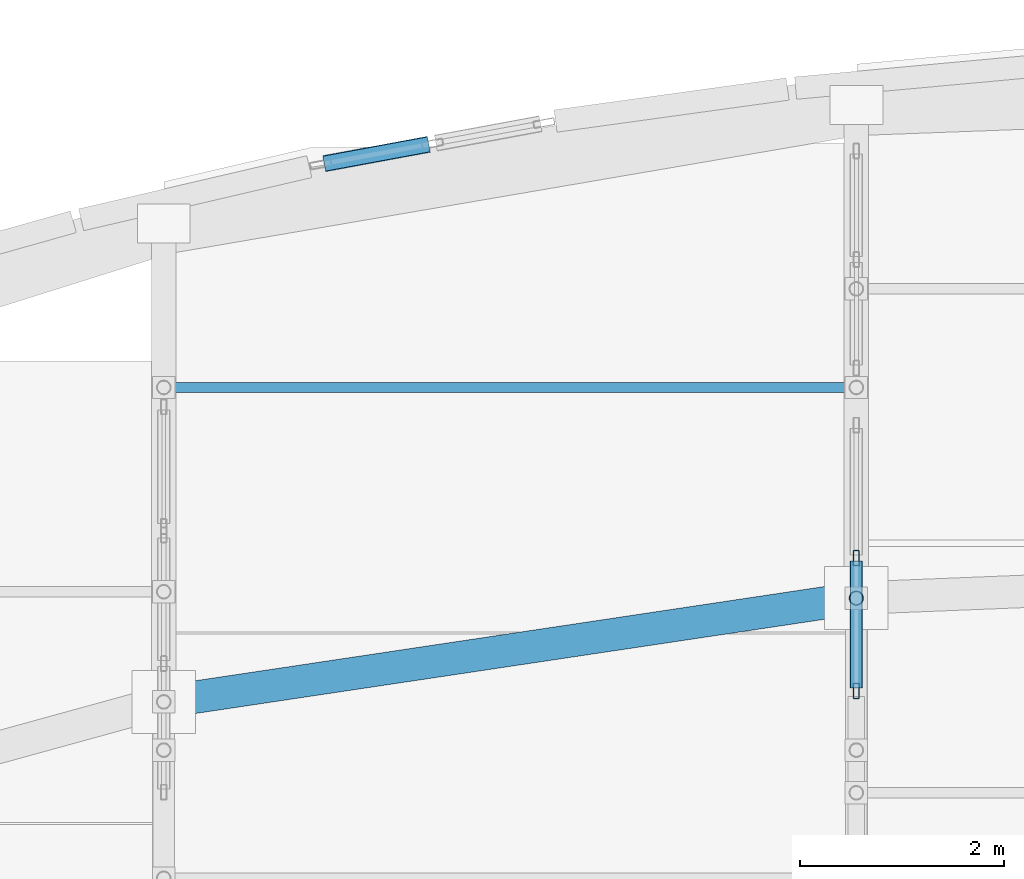
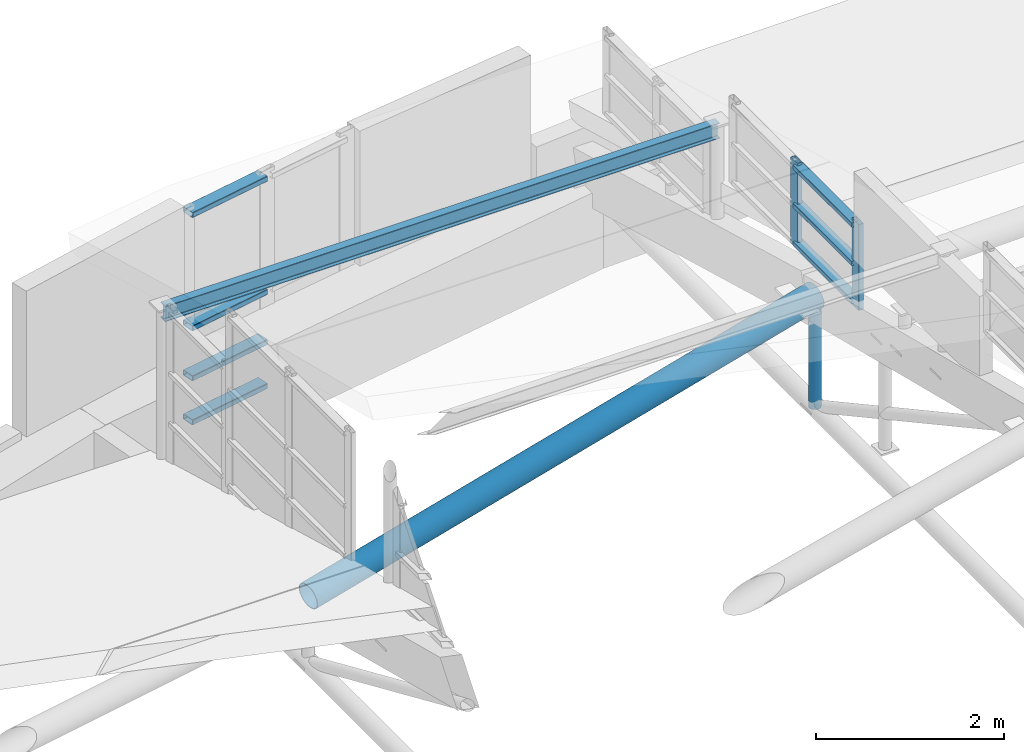
# One storey, part 98 of 188: 12 members, 2 elements without a shape of their own.
"""IFC4 building model written with IfcOpenShell, lengths in metres."""

from ifc_helpers import new_model, si_unit, direction, frame, origin, origin_2d, place, context, subcontext, project, spatial, hollow_rectangle, hollow_circle, i_section, extrude, material, layer, layer_set, material_profile, profile_set, type_object, element, aggregate, save


model = new_model("IFC4")

# Units and contexts
model_context = context("Model", 3, precision=1e-05, world=origin(), true_north=direction((0.0, 1.0)))
body_context = subcontext(model_context, "Body", "Model", "MODEL_VIEW")
ifc_project = project(units=[si_unit("LENGTHUNIT", "METRE"), si_unit("AREAUNIT", "SQUARE_METRE"), si_unit("VOLUMEUNIT", "CUBIC_METRE"), si_unit("PLANEANGLEUNIT", "RADIAN"), si_unit("MASSUNIT", "GRAM", prefix="KILO")], contexts=[model_context])

# Site, building, storey
site_placement = place(None, origin())
site = spatial("IfcSite", under=ifc_project, at=site_placement, CompositionType="ELEMENT")
building_placement = place(site_placement, origin())
building = spatial("IfcBuilding", under=site, at=building_placement, Name="Kisaragi Civic Commons", CompositionType="ELEMENT")
storey_placement = place(building_placement, frame((0.0, 0.0, 9.60009765625)))
storey = spatial("IfcBuildingStorey", under=building, at=storey_placement, Name="L02", CompositionType="ELEMENT", Elevation=9.60009765625)

# Curtain wall, members
ifc_material_1 = material(Name="Thermally broken anodized aluminium and low-E double glazing", Category="aluminium")
ifc_layer_1 = layer(ifc_material_1, 0.14990234375, Name="Thermally broken anodized aluminium and low-E double glazing", Category="aluminium")
ifc_layer_set_1 = layer_set([ifc_layer_1], Name="Thermally broken anodized aluminium and low-E double glazing")
curtain_wall_type_1 = type_object("IfcCurtainWallType", Name="CW-03", PredefinedType="NOTDEFINED", material=ifc_layer_set_1)
curtain_wall_1_placement = place(storey_placement, origin())
curtain_wall_1 = element("IfcCurtainWall", 1, at=curtain_wall_1_placement, inside=storey, type_object=curtain_wall_type_1, Name="L02 curtain wall CW-03 CW-CL-V2-201", PredefinedType="NOTDEFINED")
ifc_material_profile_1 = material_profile(ifc_material_1, hollow_rectangle(XDim=0.06005859375, YDim=0.14990234375, WallThickness=0.00390625, InnerFilletRadius=0.00390625, OuterFilletRadius=0.008056640625, at=origin_2d()), Name="CWM-60x150x4", Category="aluminium")
ifc_profile_set_1 = profile_set([ifc_material_profile_1], Name="Thermally broken anodized aluminium and low-E double glazing")
member_type_1 = type_object("IfcMemberType", Name="CWM-01", PredefinedType="MULLION", material=ifc_profile_set_1)
member_1_placement = place(storey_placement, frame((20.39990234375, 112.181640625, 1.456298828125), z_axis=(0.0, 0.0, 1.0), x_axis=(-1.0, 0.0, 0.0)))
member_1 = element("IfcMember", 2, at=member_1_placement, type_object=member_type_1, Name="CW-03 mullion 1", PredefinedType="MULLION", context=body_context, shape_type="SweptSolid", body=[
    extrude(hollow_rectangle(XDim=0.06005859375, YDim=0.14990234375, WallThickness=0.00390625, InnerFilletRadius=0.00390625, OuterFilletRadius=0.008056640625, at=origin_2d()), origin(), (0.0, 0.0, 1.0), 1.114501953125),
])
member_2_placement = place(storey_placement, frame((20.39990234375, 113.48583984375, 1.456298828125), z_axis=(0.0, 0.0, 1.0), x_axis=(-1.0, 0.0, 0.0)))
member_2 = element("IfcMember", 3, at=member_2_placement, type_object=member_type_1, Name="CW-03 mullion 2", PredefinedType="MULLION", context=body_context, shape_type="SweptSolid", body=[
    extrude(hollow_rectangle(XDim=0.06005859375, YDim=0.14990234375, WallThickness=0.00390625, InnerFilletRadius=0.00390625, OuterFilletRadius=0.008056640625, at=origin_2d()), origin(), (0.0, 0.0, 1.0), 1.114501953125),
])
ifc_material_profile_2 = material_profile(ifc_material_1, hollow_rectangle(XDim=0.1201171875, YDim=0.06005859375, WallThickness=0.00390625, InnerFilletRadius=0.00390625, OuterFilletRadius=0.008056640625, at=origin_2d()), Name="CWT-60x120x4", Category="aluminium")
ifc_profile_set_2 = profile_set([ifc_material_profile_2], Name="Thermally broken anodized aluminium and low-E double glazing")
member_type_2 = type_object("IfcMemberType", Name="CWT-01", PredefinedType="USERDEFINED", material=ifc_profile_set_2)
member_3_placement = place(storey_placement, frame((20.39990234375, 112.211669921875, 1.516357421875), z_axis=(0.0, 1.0, 0.0), x_axis=(-1.0, 0.0, 0.0)))
member_3 = element("IfcMember", 4, at=member_3_placement, type_object=member_type_2, Name="CW-03 transom 1.1", ObjectType="TRANSOM", PredefinedType="USERDEFINED", context=body_context, shape_type="SweptSolid", body=[
    extrude(hollow_rectangle(XDim=0.1201171875, YDim=0.06005859375, WallThickness=0.00390625, InnerFilletRadius=0.00390625, OuterFilletRadius=0.008056640625, at=origin_2d()), origin(), (0.0, 0.0, 1.0), 1.244384765625),
])
member_4_placement = place(storey_placement, frame((20.39990234375, 112.211669921875, 2.013427734375), z_axis=(0.0, 1.0, 0.0), x_axis=(-1.0, 0.0, 0.0)))
member_4 = element("IfcMember", 5, at=member_4_placement, type_object=member_type_2, Name="CW-03 transom 1.2", ObjectType="TRANSOM", PredefinedType="USERDEFINED", context=body_context, shape_type="SweptSolid", body=[
    extrude(hollow_rectangle(XDim=0.1201171875, YDim=0.06005859375, WallThickness=0.00390625, InnerFilletRadius=0.00390625, OuterFilletRadius=0.008056640625, at=origin_2d()), origin(), (0.0, 0.0, 1.0), 1.244384765625),
])
member_5_placement = place(storey_placement, frame((20.39990234375, 112.211669921875, 2.5107421875), z_axis=(0.0, 1.0, 0.0), x_axis=(-1.0, 0.0, 0.0)))
member_5 = element("IfcMember", 6, at=member_5_placement, type_object=member_type_2, Name="CW-03 transom 1.3", ObjectType="TRANSOM", PredefinedType="USERDEFINED", context=body_context, shape_type="SweptSolid", body=[
    extrude(hollow_rectangle(XDim=0.1201171875, YDim=0.06005859375, WallThickness=0.00390625, InnerFilletRadius=0.00390625, OuterFilletRadius=0.008056640625, at=origin_2d()), origin(), (0.0, 0.0, 1.0), 1.244384765625),
])
aggregate(curtain_wall_1, [member_1, member_2, member_3, member_4, member_5])

ifc_layer_2 = layer(ifc_material_1, 0.2099609375, Name="Thermally broken anodized aluminium and low-E double glazing", Category="aluminium")
ifc_layer_set_2 = layer_set([ifc_layer_2], Name="Thermally broken anodized aluminium and low-E double glazing")
curtain_wall_type_2 = type_object("IfcCurtainWallType", Name="CW-02", PredefinedType="NOTDEFINED", material=ifc_layer_set_2)
curtain_wall_2_placement = place(storey_placement, origin())
curtain_wall_2 = element("IfcCurtainWall", 7, at=curtain_wall_2_placement, inside=storey, type_object=curtain_wall_type_2, Name="L02 curtain wall CW-02 CW-GAB-V2-223", PredefinedType="NOTDEFINED")
ifc_material_profile_3 = material_profile(ifc_material_1, hollow_rectangle(XDim=0.159912109375, YDim=0.070068359375, WallThickness=0.0048828125, InnerFilletRadius=0.0048828125, OuterFilletRadius=0.010009765625, at=origin_2d()), Name="CWT-70x160x5", Category="aluminium")
ifc_profile_set_3 = profile_set([ifc_material_profile_3], Name="Thermally broken anodized aluminium and low-E double glazing")
member_type_3 = type_object("IfcMemberType", Name="CWT-03", PredefinedType="USERDEFINED", material=ifc_profile_set_3)
member_6_placement = place(storey_placement, frame((15.17578125, 117.358154296875, -1.319091796875), z_axis=(0.983334650789, 0.181804742945, 0.0), x_axis=(-0.181804742945, 0.983334650789, 0.0)))
member_6 = element("IfcMember", 8, at=member_6_placement, type_object=member_type_3, Name="CW-02 transom 1.1", ObjectType="TRANSOM", PredefinedType="USERDEFINED", context=body_context, shape_type="SweptSolid", body=[
    extrude(hollow_rectangle(XDim=0.159912109375, YDim=0.070068359375, WallThickness=0.0048828125, InnerFilletRadius=0.0048828125, OuterFilletRadius=0.010009765625, at=origin_2d()), origin(), (0.0, 0.0, 1.0), 1.044677734375),
])
member_7_placement = place(storey_placement, frame((15.17578125, 117.358154296875, -0.7490234375), z_axis=(0.983334650789, 0.181804742945, 0.0), x_axis=(-0.181804742945, 0.983334650789, 0.0)))
member_7 = element("IfcMember", 9, at=member_7_placement, type_object=member_type_3, Name="CW-02 transom 1.2", ObjectType="TRANSOM", PredefinedType="USERDEFINED", context=body_context, shape_type="SweptSolid", body=[
    extrude(hollow_rectangle(XDim=0.159912109375, YDim=0.070068359375, WallThickness=0.0048828125, InnerFilletRadius=0.0048828125, OuterFilletRadius=0.010009765625, at=origin_2d()), origin(), (0.0, 0.0, 1.0), 1.044677734375),
])
member_8_placement = place(storey_placement, frame((15.17578125, 117.358154296875, -0.09912109375), z_axis=(0.983334650789, 0.181804742945, 0.0), x_axis=(-0.181804742945, 0.983334650789, 0.0)))
member_8 = element("IfcMember", 10, at=member_8_placement, type_object=member_type_3, Name="CW-02 transom 1.3", ObjectType="TRANSOM", PredefinedType="USERDEFINED", context=body_context, shape_type="SweptSolid", body=[
    extrude(hollow_rectangle(XDim=0.159912109375, YDim=0.070068359375, WallThickness=0.0048828125, InnerFilletRadius=0.0048828125, OuterFilletRadius=0.010009765625, at=origin_2d()), origin(), (0.0, 0.0, 1.0), 1.044677734375),
])
member_9_placement = place(storey_placement, frame((15.17578125, 117.358154296875, 1.369384765625), z_axis=(0.983334650789, 0.181804742945, 0.0), x_axis=(-0.181804742945, 0.983334650789, 0.0)))
member_9 = element("IfcMember", 11, at=member_9_placement, type_object=member_type_3, Name="CW-02 transom 1.4", ObjectType="TRANSOM", PredefinedType="USERDEFINED", context=body_context, shape_type="SweptSolid", body=[
    extrude(hollow_rectangle(XDim=0.159912109375, YDim=0.070068359375, WallThickness=0.0048828125, InnerFilletRadius=0.0048828125, OuterFilletRadius=0.010009765625, at=origin_2d()), origin(), (0.0, 0.0, 1.0), 1.044677734375),
])
aggregate(curtain_wall_2, [member_6, member_7, member_8, member_9])

# Members
ifc_material_2 = material(Name="Steel SN490 (SN490B)", Category="steel")
ifc_material_profile_4 = material_profile(ifc_material_2, hollow_circle(Radius=0.1591796875, WallThickness=0.01025390625, at=origin_2d()), Name="CHS-318.5x10.3", Category="steel")
ifc_profile_set_4 = profile_set([ifc_material_profile_4], Name="Steel SN490 (SN490B)")
member_type_4 = type_object("IfcMemberType", Name="GC-03", PredefinedType="CHORD", material=ifc_profile_set_4)
member_10_placement = place(storey_placement, frame((13.60009765625, 112.073974609375, 0.1484375), z_axis=(0.980527503553, 0.14683973206, 0.130399033217), x_axis=(-0.148104306779, 0.988971745963, 0.0)))
element("IfcMember", 12, at=member_10_placement, inside=storey, type_object=member_type_4, Name="V2 wave gridshell chord GC-03 21", PredefinedType="CHORD", context=body_context, shape_type="SweptSolid", body=[
    extrude(hollow_circle(Radius=0.1591796875, WallThickness=0.01025390625, at=origin_2d()), origin(), (0.0, 0.0, 1.0), 6.934814453125),
])
ifc_material_3 = material(Name="Steel SN400 (SN400B)", Category="steel")
ifc_material_profile_5 = material_profile(ifc_material_3, i_section(OverallWidth=0.10009765625, OverallDepth=0.199951171875, WebThickness=0.005615234375, FlangeThickness=0.008056640625, FilletRadius=0.008056640625, at=origin_2d()), Name="H-200x100x5.5x8", Category="steel")
ifc_profile_set_5 = profile_set([ifc_material_profile_5], Name="Steel SN400 (SN400B)")
member_type_5 = type_object("IfcMemberType", Name="PR-02", PredefinedType="PURLIN", material=ifc_profile_set_5)
member_11_placement = place(storey_placement, frame((13.60009765625, 115.160888671875, 1.960205078125), z_axis=(1.0, 0.0, 0.0), x_axis=(0.0, 1.0, 0.0)))
element("IfcMember", 13, at=member_11_placement, inside=storey, type_object=member_type_5, Name="V2 wave vault steel purlin 24", PredefinedType="PURLIN", context=body_context, shape_type="SweptSolid", body=[
    extrude(i_section(OverallWidth=0.10009765625, OverallDepth=0.199951171875, WebThickness=0.005615234375, FlangeThickness=0.008056640625, FilletRadius=0.008056640625, at=origin_2d()), origin(), (0.0, 0.0, 1.0), 6.7998046875),
])
ifc_material_profile_6 = material_profile(ifc_material_2, hollow_circle(Radius=0.06982421875, WallThickness=0.006103515625, at=origin_2d()), Name="CHS-139.8x6.0", Category="steel")
ifc_profile_set_6 = profile_set([ifc_material_profile_6], Name="Steel SN490 (SN490B)")
member_type_6 = type_object("IfcMemberType", Name="ST-H1", PredefinedType="STRUT", material=ifc_profile_set_6)
member_12_placement = place(storey_placement, frame((20.39990234375, 113.09228515625, -0.385009765625), z_axis=(0.0, 0.0, 1.0), x_axis=(1.0, 0.0, 0.0)))
element("IfcMember", 14, at=member_12_placement, inside=storey, type_object=member_type_6, Name="V2 arch tie hanger strut 51", PredefinedType="STRUT", context=body_context, shape_type="SweptSolid", body=[
    extrude(hollow_circle(Radius=0.06982421875, WallThickness=0.006103515625, at=origin_2d()), origin(), (0.0, 0.0, 1.0), 1.437744140625),
])

save(model, "model.ifc")
